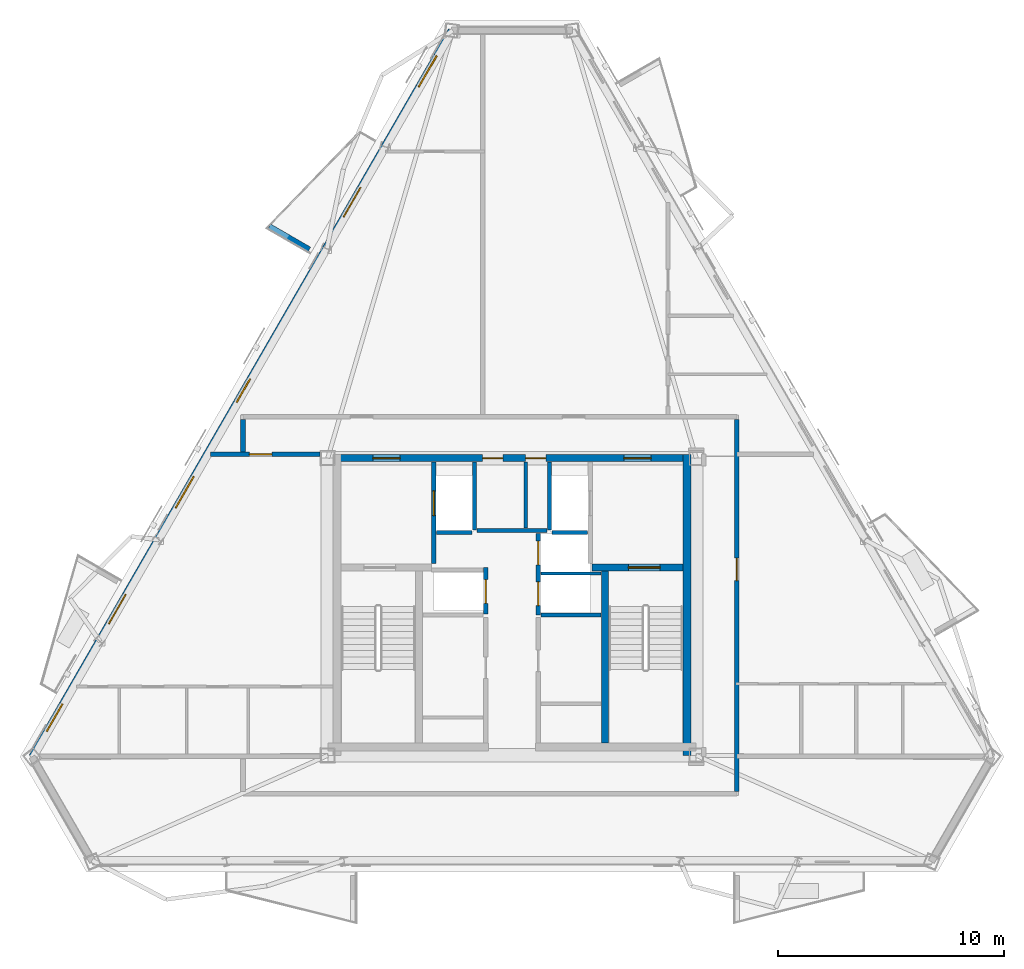
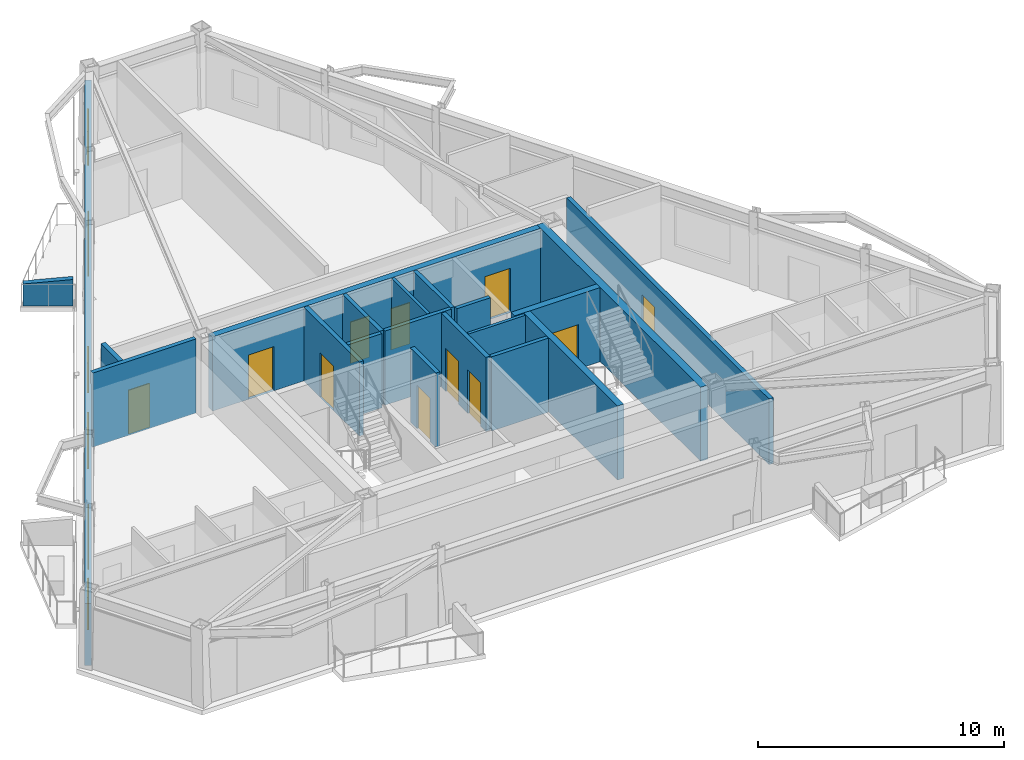
# One storey, part 3 of 9: 20 walls, 13 doors, 4 windows, 17 openings.
"""IFC4 building model written with IfcOpenShell, lengths in metres."""

from ifc_helpers import new_model, si_unit, direction, frame, frame_2d, origin, place, context, subcontext, project, spatial, polyline, rectangle, outline, extrude, material, layer, layer_set, type_object, element, fill, save


model = new_model("IFC4")

# Units and contexts
model_context = context("Model", 3, precision=1e-05, world=origin(), true_north=direction((0.0, 1.0)))
body_context = subcontext(model_context, "Body", "Model", "MODEL_VIEW")
ifc_project = project(units=[si_unit("LENGTHUNIT", "METRE"), si_unit("AREAUNIT", "SQUARE_METRE"), si_unit("VOLUMEUNIT", "CUBIC_METRE"), si_unit("PLANEANGLEUNIT", "RADIAN"), si_unit("MASSUNIT", "GRAM", prefix="KILO")], contexts=[model_context])

# Site, building, storey
site_placement = place(None, origin())
site = spatial("IfcSite", under=ifc_project, at=site_placement, CompositionType="ELEMENT")
building_placement = place(site_placement, origin())
building = spatial("IfcBuilding", under=site, at=building_placement, Name="Oramaril Tower", CompositionType="ELEMENT")
storey_placement = place(building_placement, frame((0.0, 0.0, 253.800048828125)))
storey = spatial("IfcBuildingStorey", under=building, at=storey_placement, Name="L67", CompositionType="ELEMENT", Elevation=253.800048828125)

# Wall, openings, doors, windows
ifc_material_1 = material(Name="Warm Cream Limestone", Category="masonry")
ifc_layer_1 = layer(ifc_material_1, 0.2900390625)
ifc_layer_set_1 = layer_set([ifc_layer_1], Name="WT-EXT29")
wall_type_1 = type_object("IfcWallType", Name="WT-EXT29", PredefinedType="SOLIDWALL", material=ifc_layer_set_1)
wall_1_placement = place(storey_placement, frame((34.81787109375, 43.069580078125, 0.0), z_axis=(0.0, 0.0, 1.0), x_axis=(-0.500001745664, -0.866024395923, 0.0)))
wall_1 = element("IfcWall", 1, at=wall_1_placement, inside=storey, type_object=wall_type_1, Name="L67 Tower Limestone Facade Wall 6M", PredefinedType="SOLIDWALL", context=body_context, shape_type="SweptSolid", body=[
    extrude(rectangle(XDim=37.102294921875, YDim=0.2900390625, at=frame_2d((18.55126953125, 0.0))), origin(), (0.0, 0.0, 1.0), 3.057861328125),
])
opening_1_placement = place(wall_1_placement, frame((8.034423828125, 0.0, 0.0)))
opening_1 = element("IfcOpeningElement", 2, at=opening_1_placement, cuts=wall_1, Name="Opening D-L67-BAL-NW1", PredefinedType="OPENING", context=body_context, shape_type="SweptSolid", body=[
    extrude(rectangle(XDim=1.5, YDim=2.199951171875, at=frame_2d((0.75, 1.10009765625))), frame((0.0, 0.14501953125, 0.0), z_axis=(0.0, -1.0, 0.0), x_axis=(1.0, 0.0, 0.0)), (0.0, 0.0, 1.0), 0.2900390625),
])
opening_2_placement = place(wall_1_placement, frame((28.81298828125, 0.0, 0.0)))
opening_2 = element("IfcOpeningElement", 3, at=opening_2_placement, cuts=wall_1, Name="Opening D-L67-BAL-NW2", PredefinedType="OPENING", context=body_context, shape_type="SweptSolid", body=[
    extrude(rectangle(XDim=1.5, YDim=2.199951171875, at=frame_2d((0.75, 1.10009765625))), frame((0.0, 0.14501953125, 0.0), z_axis=(0.0, -1.0, 0.0), x_axis=(1.0, 0.0, 0.0)), (0.0, 0.0, 1.0), 0.2900390625),
])
opening_3_placement = place(wall_1_placement, frame((22.792236328125, 0.0, 0.85009765625)))
opening_3 = element("IfcOpeningElement", 4, at=opening_3_placement, cuts=wall_1, Name="Opening WN-07", PredefinedType="OPENING", context=body_context, shape_type="SweptSolid", body=[
    extrude(rectangle(XDim=1.60009765625, YDim=1.699951171875, at=frame_2d((0.800048828125, 0.85009765625))), frame((0.0, 0.14501953125, 0.0), z_axis=(0.0, -1.0, 0.0), x_axis=(1.0, 0.0, 0.0)), (0.0, 0.0, 1.0), 0.2900390625),
])
opening_4_placement = place(wall_1_placement, frame((34.406005859375, 0.0, 0.85009765625)))
opening_4 = element("IfcOpeningElement", 5, at=opening_4_placement, cuts=wall_1, Name="Opening WN-08", PredefinedType="OPENING", context=body_context, shape_type="SweptSolid", body=[
    extrude(rectangle(XDim=1.39990234375, YDim=1.60009765625, at=frame_2d((0.699951171875, 0.800048828125))), frame((0.0, 0.14501953125, 0.0), z_axis=(0.0, -1.0, 0.0), x_axis=(1.0, 0.0, 0.0)), (0.0, 0.0, 1.0), 0.2900390625),
])
opening_5_placement = place(wall_1_placement, frame((17.80078125, 0.0, 0.85009765625)))
opening_5 = element("IfcOpeningElement", 6, at=opening_5_placement, cuts=wall_1, Name="Opening WN-09", PredefinedType="OPENING", context=body_context, shape_type="SweptSolid", body=[
    extrude(rectangle(XDim=1.199951171875, YDim=1.47998046875, at=frame_2d((0.60009765625, 0.739990234375))), frame((0.0, 0.14501953125, 0.0), z_axis=(0.0, -1.0, 0.0), x_axis=(1.0, 0.0, 0.0)), (0.0, 0.0, 1.0), 0.2900390625),
])
opening_6_placement = place(wall_1_placement, frame((1.293212890625, 0.0, 0.85009765625)))
opening_6 = element("IfcOpeningElement", 7, at=opening_6_placement, cuts=wall_1, Name="Opening WN-07", PredefinedType="OPENING", context=body_context, shape_type="SweptSolid", body=[
    extrude(rectangle(XDim=1.60009765625, YDim=1.699951171875, at=frame_2d((0.800048828125, 0.85009765625))), frame((0.0, 0.14501953125, 0.0), z_axis=(0.0, -1.0, 0.0), x_axis=(1.0, 0.0, 0.0)), (0.0, 0.0, 1.0), 0.2900390625),
])
ifc_material_2 = material(Name="Anodised Aluminium 6063-T6", Category="aluminium")
door_type_1 = type_object("IfcDoorType", Name="DT-BAL", OperationType="NOTDEFINED", PredefinedType="DOOR", material=ifc_material_2)
door_1_placement = place(opening_1_placement, origin())
door_1 = element("IfcDoor", 8, at=door_1_placement, inside=storey, type_object=door_type_1, Name="L67 Balcony Glazed Door L67-BAL-NW1", OperationType="SINGLE_SWING_RIGHT", OverallHeight=2.199951171875, OverallWidth=1.5, PredefinedType="DOOR", context=body_context, shape_type="SweptSolid", body=[
    extrude(rectangle(XDim=1.5, YDim=2.199951171875, at=frame_2d((0.75, 1.10009765625))), frame((0.0, 0.02490234375, 0.0), z_axis=(0.0, -1.0, 0.0), x_axis=(1.0, 0.0, 0.0)), (0.0, 0.0, 1.0), 0.050048828125),
])
fill(opening_1, door_1)
door_2_placement = place(opening_2_placement, origin())
door_2 = element("IfcDoor", 9, at=door_2_placement, inside=storey, type_object=door_type_1, Name="L67 Balcony Glazed Door L67-BAL-NW2", OperationType="SINGLE_SWING_LEFT", OverallHeight=2.199951171875, OverallWidth=1.5, PredefinedType="DOOR", context=body_context, shape_type="SweptSolid", body=[
    extrude(rectangle(XDim=1.5, YDim=2.199951171875, at=frame_2d((0.75, 1.10009765625))), frame((0.0, 0.02490234375, 0.0), z_axis=(0.0, -1.0, 0.0), x_axis=(1.0, 0.0, 0.0)), (0.0, 0.0, 1.0), 0.050048828125),
])
fill(opening_2, door_2)
ifc_material_3 = material(Name="Coastal Low-E Insulated Glass", Category="glass")
window_type_1 = type_object("IfcWindowType", Name="WNT-07", PartitioningType="SINGLE_PANEL", PredefinedType="WINDOW", material=ifc_material_3)
window_1_placement = place(opening_3_placement, origin())
window_1 = element("IfcWindow", 10, at=window_1_placement, inside=storey, type_object=window_type_1, Name="L67 Chicago Bay Window WN-07", OverallHeight=1.699951171875, OverallWidth=1.60009765625, PartitioningType="SINGLE_PANEL", PredefinedType="WINDOW", context=body_context, shape_type="SweptSolid", body=[
    extrude(rectangle(XDim=1.60009765625, YDim=1.699951171875, at=frame_2d((0.800048828125, 0.85009765625))), frame((0.0, 0.030029296875, 0.0), z_axis=(0.0, -1.0, 0.0), x_axis=(1.0, 0.0, 0.0)), (0.0, 0.0, 1.0), 0.06005859375),
])
fill(opening_3, window_1)
window_2_placement = place(opening_6_placement, origin())
window_2 = element("IfcWindow", 11, at=window_2_placement, inside=storey, type_object=window_type_1, Name="L67 Chicago Bay Window WN-07", OverallHeight=1.699951171875, OverallWidth=1.60009765625, PartitioningType="SINGLE_PANEL", PredefinedType="WINDOW", context=body_context, shape_type="SweptSolid", body=[
    extrude(rectangle(XDim=1.60009765625, YDim=1.699951171875, at=frame_2d((0.800048828125, 0.85009765625))), frame((0.0, 0.030029296875, 0.0), z_axis=(0.0, -1.0, 0.0), x_axis=(1.0, 0.0, 0.0)), (0.0, 0.0, 1.0), 0.06005859375),
])
fill(opening_6, window_2)
ifc_material_4 = material(Name="Coastal Low-E Insulated Glass", Category="glass")
window_type_2 = type_object("IfcWindowType", Name="WNT-08", PartitioningType="SINGLE_PANEL", PredefinedType="WINDOW", material=ifc_material_4)
window_3_placement = place(opening_4_placement, origin())
window_3 = element("IfcWindow", 12, at=window_3_placement, inside=storey, type_object=window_type_2, Name="L67 Chicago Bay Window WN-08", OverallHeight=1.60009765625, OverallWidth=1.39990234375, PartitioningType="SINGLE_PANEL", PredefinedType="WINDOW", context=body_context, shape_type="SweptSolid", body=[
    extrude(rectangle(XDim=1.39990234375, YDim=1.60009765625, at=frame_2d((0.699951171875, 0.800048828125))), frame((0.0, 0.030029296875, 0.0), z_axis=(0.0, -1.0, 0.0), x_axis=(1.0, 0.0, 0.0)), (0.0, 0.0, 1.0), 0.06005859375),
])
fill(opening_4, window_3)
ifc_material_5 = material(Name="Coastal Low-E Insulated Glass", Category="glass")
window_type_3 = type_object("IfcWindowType", Name="WNT-09", PartitioningType="SINGLE_PANEL", PredefinedType="WINDOW", material=ifc_material_5)
window_4_placement = place(opening_5_placement, origin())
window_4 = element("IfcWindow", 13, at=window_4_placement, inside=storey, type_object=window_type_3, Name="L67 Chicago Bay Window WN-09", OverallHeight=1.47998046875, OverallWidth=1.199951171875, PartitioningType="SINGLE_PANEL", PredefinedType="WINDOW", context=body_context, shape_type="SweptSolid", body=[
    extrude(rectangle(XDim=1.199951171875, YDim=1.47998046875, at=frame_2d((0.60009765625, 0.739990234375))), frame((0.0, 0.030029296875, 0.0), z_axis=(0.0, -1.0, 0.0), x_axis=(1.0, 0.0, 0.0)), (0.0, 0.0, 1.0), 0.06005859375),
])
fill(opening_5, window_4)

# Walls
ifc_material_6 = material(Name="Concrete C40/50", Category="concrete")
ifc_layer_2 = layer(ifc_material_6, 0.22998046875)
ifc_layer_set_2 = layer_set([ifc_layer_2], Name="WT-PRP23")
wall_type_2 = type_object("IfcWallType", Name="WT-PRP23", PredefinedType="PARAPET", material=ifc_layer_set_2)
wall_2_placement = place(storey_placement, frame((28.53515625, 33.3837890625, 0.0), z_axis=(0.0, 0.0, 1.0), x_axis=(-0.866012356593, 0.500022597718, 0.0)))
element("IfcWall", 14, at=wall_2_placement, inside=storey, type_object=wall_type_2, Name="L67 Trapezoidal Balcony Frame Cheek L67-BAL-NW1-R", PredefinedType="PARAPET", context=body_context, shape_type="SweptSolid", body=[
    extrude(outline(polyline([(0.0, 0.0), (2.0419921875, 0.0), (2.0419921875, 1.099853515625), (0.0, 1.320068359375), (0.0, 0.0)])), frame((0.0, 0.114990234375, 0.0), z_axis=(0.0, -1.0, 0.0), x_axis=(1.0, 0.0, 0.0)), (0.0, 0.0, 1.0), 0.22998046875),
])
ifc_material_7 = material(Name="Acoustic Gypsum Board Partition")
ifc_layer_3 = layer(ifc_material_7, 0.139892578125)
ifc_layer_set_3 = layer_set([ifc_layer_3], Name="WT-PT14")
wall_type_3 = type_object("IfcWallType", Name="WT-PT14", PredefinedType="PARTITIONING", material=ifc_layer_set_3)
wall_3_placement = place(storey_placement, frame((38.780029296875, 19.050048828125, 0.0), z_axis=(0.0, 0.0, 1.0), x_axis=(1.0, 0.0, 0.0)))
element("IfcWall", 15, at=wall_3_placement, inside=storey, type_object=wall_type_3, Name="L67 High-Rise Lift H2-H3 Divider", PredefinedType="PARTITIONING", context=body_context, shape_type="SweptSolid", body=[
    extrude(rectangle(XDim=2.659912109375, YDim=0.139892578125, at=frame_2d((1.330078125, 0.0))), origin(), (0.0, 0.0, 1.0), 3.679931640625),
])
wall_4_placement = place(storey_placement, frame((38.110107421875, 21.06005859375, 0.0), z_axis=(0.0, 0.0, 1.0), x_axis=(0.0, 1.0, 0.0)))
element("IfcWall", 16, at=wall_4_placement, inside=storey, type_object=wall_type_3, Name="L67 Core Service Divider", PredefinedType="PARTITIONING", context=body_context, shape_type="SweptSolid", body=[
    extrude(rectangle(XDim=2.919921875, YDim=0.139892578125, at=frame_2d((1.4599609375, 0.0))), origin(), (0.0, 0.0, 1.0), 3.679931640625),
])
ifc_material_8 = material(Name="Autoclaved Cellular Concrete Block", Category="concrete")
ifc_layer_4 = layer(ifc_material_8, 0.179931640625)
ifc_layer_set_4 = layer_set([ifc_layer_4], Name="WT-PT18")
wall_type_4 = type_object("IfcWallType", Name="WT-PT18", PredefinedType="PARTITIONING", material=ifc_layer_set_4)
wall_5_placement = place(storey_placement, frame((35.840087890625, 20.9599609375, 0.0), z_axis=(0.0, 0.0, 1.0), x_axis=(0.0, 1.0, 0.0)))
element("IfcWall", 17, at=wall_5_placement, inside=storey, type_object=wall_type_4, Name="L67 FL-1 East Shaft Wall", PredefinedType="PARTITIONING", context=body_context, shape_type="SweptSolid", body=[
    extrude(rectangle(XDim=3.02001953125, YDim=0.179931640625, at=frame_2d((1.510009765625, 0.0))), origin(), (0.0, 0.0, 1.0), 3.679931640625),
])
wall_6_placement = place(storey_placement, frame((34.159912109375, 20.860107421875, 0.0), z_axis=(0.0, 0.0, 1.0), x_axis=(1.0, 0.0, 0.0)))
element("IfcWall", 18, at=wall_6_placement, inside=storey, type_object=wall_type_4, Name="L67 FL-1 South Shaft Wall", PredefinedType="PARTITIONING", context=body_context, shape_type="SweptSolid", body=[
    extrude(rectangle(XDim=1.580078125, YDim=0.179931640625, at=frame_2d((0.7900390625, 0.0))), origin(), (0.0, 0.0, 1.0), 3.679931640625),
])
wall_7_placement = place(storey_placement, frame((39.159912109375, 20.9599609375, 0.0), z_axis=(0.0, 0.0, 1.0), x_axis=(0.0, 1.0, 0.0)))
element("IfcWall", 19, at=wall_7_placement, inside=storey, type_object=wall_type_4, Name="L67 FL-2 West Shaft Wall", PredefinedType="PARTITIONING", context=body_context, shape_type="SweptSolid", body=[
    extrude(rectangle(XDim=3.02001953125, YDim=0.179931640625, at=frame_2d((1.510009765625, 0.0))), origin(), (0.0, 0.0, 1.0), 3.679931640625),
])
wall_8_placement = place(storey_placement, frame((39.260009765625, 20.860107421875, 0.0), z_axis=(0.0, 0.0, 1.0), x_axis=(1.0, 0.0, 0.0)))
element("IfcWall", 20, at=wall_8_placement, inside=storey, type_object=wall_type_4, Name="L67 FL-2 South Shaft Wall", PredefinedType="PARTITIONING", context=body_context, shape_type="SweptSolid", body=[
    extrude(rectangle(XDim=1.580078125, YDim=0.179931640625, at=frame_2d((0.7900390625, 0.0))), origin(), (0.0, 0.0, 1.0), 3.679931640625),
])
wall_9_placement = place(storey_placement, frame((38.780029296875, 17.199951171875, 0.0), z_axis=(0.0, 0.0, 1.0), x_axis=(1.0, 0.0, 0.0)))
element("IfcWall", 21, at=wall_9_placement, inside=storey, type_object=wall_type_4, Name="L67 High-Rise Lift H2 South Wall", PredefinedType="PARTITIONING", context=body_context, shape_type="SweptSolid", body=[
    extrude(rectangle(XDim=2.659912109375, YDim=0.179931640625, at=frame_2d((1.330078125, 0.0))), origin(), (0.0, 0.0, 1.0), 3.679931640625),
])
wall_10_placement = place(storey_placement, frame((35.949951171875, 20.949951171875, 0.0), z_axis=(0.0, 0.0, 1.0), x_axis=(1.0, 0.0, 0.0)))
element("IfcWall", 22, at=wall_10_placement, inside=storey, type_object=wall_type_4, Name="L67 Lift Lobby North Partition", PredefinedType="PARTITIONING", context=body_context, shape_type="SweptSolid", body=[
    extrude(rectangle(XDim=3.10009765625, YDim=0.179931640625, at=frame_2d((1.550048828125, 0.0))), origin(), (0.0, 0.0, 1.0), 3.679931640625),
])

# Wall, opening, door
ifc_material_9 = material(Name="Autoclaved Cellular Concrete Block", Category="concrete")
ifc_layer_5 = layer(ifc_material_9, 0.199951171875)
ifc_layer_set_5 = layer_set([ifc_layer_5], Name="WT-PT20")
wall_type_5 = type_object("IfcWallType", Name="WT-PT20", PredefinedType="PARTITIONING", material=ifc_layer_set_5)
wall_11_placement = place(storey_placement, frame((24.164794921875, 24.320068359375, 0.0), z_axis=(0.0, 0.0, 1.0), x_axis=(1.0, 0.0, 0.0)))
wall_11 = element("IfcWall", 23, at=wall_11_placement, inside=storey, type_object=wall_type_5, Name="L67 Interior Partition PT-20", PredefinedType="PARTITIONING", context=body_context, shape_type="SweptSolid", body=[
    extrude(rectangle(XDim=4.84521484375, YDim=0.199951171875, at=frame_2d((2.422607421875, 0.0))), origin(), (0.0, 0.0, 1.0), 3.679931640625),
])
opening_7_placement = place(wall_11_placement, frame((1.717041015625, 0.0, 0.0)))
opening_7 = element("IfcOpeningElement", 24, at=opening_7_placement, cuts=wall_11, Name="Opening D-L67-09", PredefinedType="OPENING", context=body_context, shape_type="SweptSolid", body=[
    extrude(rectangle(XDim=1.0, YDim=2.179931640625, at=frame_2d((0.5, 1.08984375))), frame((0.0, 0.10009765625, 0.0), z_axis=(0.0, -1.0, 0.0), x_axis=(1.0, 0.0, 0.0)), (0.0, 0.0, 1.0), 0.199951171875),
])
ifc_material_10 = material(Name="FSC Brazilian Freijo Hardwood", Category="wood")
door_type_2 = type_object("IfcDoorType", Name="DT-APT", OperationType="NOTDEFINED", PredefinedType="DOOR", material=ifc_material_10)
door_3_placement = place(opening_7_placement, origin())
door_3 = element("IfcDoor", 25, at=door_3_placement, inside=storey, type_object=door_type_2, Name="L67 Flat L67-U2 Penthouse Living and Dining Room Door D-L67-09", OperationType="SINGLE_SWING_RIGHT", OverallHeight=2.179931640625, OverallWidth=1.0, PredefinedType="DOOR", context=body_context, shape_type="SweptSolid", body=[
    extrude(rectangle(XDim=1.0, YDim=2.179931640625, at=frame_2d((0.5, 1.08984375))), frame((0.0, 0.02490234375, 0.0), z_axis=(0.0, -1.0, 0.0), x_axis=(1.0, 0.0, 0.0)), (0.0, 0.0, 1.0), 0.050048828125),
])
fill(opening_7, door_3)

# Wall
wall_12_placement = place(storey_placement, frame((25.60009765625, 24.424072265625, 0.0), z_axis=(0.0, 0.0, 1.0), x_axis=(0.0, 1.0, 0.0)))
element("IfcWall", 26, at=wall_12_placement, inside=storey, type_object=wall_type_5, Name="L67 Interior Partition PT-20", PredefinedType="PARTITIONING", context=body_context, shape_type="SweptSolid", body=[
    extrude(rectangle(XDim=1.44189453125, YDim=0.199951171875, at=frame_2d((0.720947265625, 0.0))), origin(), (0.0, 0.0, 1.0), 3.679931640625),
])

# Wall, opening, door
wall_13_placement = place(storey_placement, frame((47.449951171875, 9.404052734375, 0.0), z_axis=(0.0, 0.0, 1.0), x_axis=(0.0, 1.0, 0.0)))
wall_13 = element("IfcWall", 27, at=wall_13_placement, inside=storey, type_object=wall_type_5, Name="L67 Interior Partition PT-20", PredefinedType="PARTITIONING", context=body_context, shape_type="SweptSolid", body=[
    extrude(rectangle(XDim=16.4619140625, YDim=0.199951171875, at=frame_2d((8.23095703125, 0.0))), origin(), (0.0, 0.0, 1.0), 3.265869140625),
])
opening_8_placement = place(wall_13_placement, frame((9.320068359375, 0.0, 0.0)))
opening_8 = element("IfcOpeningElement", 28, at=opening_8_placement, cuts=wall_13, Name="Opening D-L67-16", PredefinedType="OPENING", context=body_context, shape_type="SweptSolid", body=[
    extrude(rectangle(XDim=1.0, YDim=2.179931640625, at=frame_2d((0.5, 1.08984375))), frame((0.0, 0.10009765625, 0.0), z_axis=(0.0, -1.0, 0.0), x_axis=(1.0, 0.0, 0.0)), (0.0, 0.0, 1.0), 0.199951171875),
])
door_4_placement = place(opening_8_placement, origin())
door_4 = element("IfcDoor", 29, at=door_4_placement, inside=storey, type_object=door_type_2, Name="L67 Flat L67-U3 Penthouse 2-Bedroom Living and Dining Room Door D-L67-16", OperationType="SINGLE_SWING_LEFT", OverallHeight=2.179931640625, OverallWidth=1.0, PredefinedType="DOOR", context=body_context, shape_type="SweptSolid", body=[
    extrude(rectangle(XDim=1.0, YDim=2.179931640625, at=frame_2d((0.5, 1.08984375))), frame((0.0, 0.02490234375, 0.0), z_axis=(0.0, -1.0, 0.0), x_axis=(1.0, 0.0, 0.0)), (0.0, 0.0, 1.0), 0.050048828125),
])
fill(opening_8, door_4)

# Wall, openings, doors
ifc_material_11 = material(Name="Concrete C50/60", Category="concrete")
ifc_layer_6 = layer(ifc_material_11, 0.300048828125)
ifc_layer_set_6 = layer_set([ifc_layer_6], Name="WT-SH30")
wall_type_6 = type_object("IfcWallType", Name="WT-SH30", PredefinedType="SHEAR", material=ifc_layer_set_6)
wall_14_placement = place(storey_placement, frame((29.64990234375, 24.14990234375, 0.0), z_axis=(0.0, 0.0, 1.0), x_axis=(1.0, 0.0, 0.0)))
wall_14 = element("IfcWall", 30, at=wall_14_placement, inside=storey, type_object=wall_type_6, Name="L67 Core Shear Wall CW-N", PredefinedType="SHEAR", context=body_context, shape_type="SweptSolid", body=[
    extrude(rectangle(XDim=15.7001953125, YDim=0.300048828125, at=frame_2d((7.85009765625, 0.0))), origin(), (0.0, 0.0, 1.0), 3.679931640625),
])
opening_9_placement = place(wall_14_placement, frame((1.699951171875, 0.0, 0.0)))
opening_9 = element("IfcOpeningElement", 31, at=opening_9_placement, cuts=wall_14, Name="Opening D-L67-FFL1", PredefinedType="OPENING", context=body_context, shape_type="SweptSolid", body=[
    extrude(rectangle(XDim=1.199951171875, YDim=2.199951171875, at=frame_2d((0.60009765625, 1.10009765625))), frame((0.0, 0.14990234375, 0.0), z_axis=(0.0, -1.0, 0.0), x_axis=(1.0, 0.0, 0.0)), (0.0, 0.0, 1.0), 0.300048828125),
])
opening_10_placement = place(wall_14_placement, frame((12.800048828125, 0.0, 0.0)))
opening_10 = element("IfcOpeningElement", 32, at=opening_10_placement, cuts=wall_14, Name="Opening D-L67-FFL2", PredefinedType="OPENING", context=body_context, shape_type="SweptSolid", body=[
    extrude(rectangle(XDim=1.199951171875, YDim=2.199951171875, at=frame_2d((0.60009765625, 1.10009765625))), frame((0.0, 0.14990234375, 0.0), z_axis=(0.0, -1.0, 0.0), x_axis=(1.0, 0.0, 0.0)), (0.0, 0.0, 1.0), 0.300048828125),
])
opening_11_placement = place(wall_14_placement, frame((6.550048828125, 0.0, 0.0)))
opening_11 = element("IfcOpeningElement", 33, at=opening_11_placement, cuts=wall_14, Name="Opening D-L67-SV1", PredefinedType="OPENING", context=body_context, shape_type="SweptSolid", body=[
    extrude(rectangle(XDim=0.89990234375, YDim=2.050048828125, at=frame_2d((0.449951171875, 1.02490234375))), frame((0.0, 0.14990234375, 0.0), z_axis=(0.0, -1.0, 0.0), x_axis=(1.0, 0.0, 0.0)), (0.0, 0.0, 1.0), 0.300048828125),
])
opening_12_placement = place(wall_14_placement, frame((8.449951171875, 0.0, 0.0)))
opening_12 = element("IfcOpeningElement", 34, at=opening_12_placement, cuts=wall_14, Name="Opening D-L67-SV2", PredefinedType="OPENING", context=body_context, shape_type="SweptSolid", body=[
    extrude(rectangle(XDim=0.89990234375, YDim=2.050048828125, at=frame_2d((0.449951171875, 1.02490234375))), frame((0.0, 0.14990234375, 0.0), z_axis=(0.0, -1.0, 0.0), x_axis=(1.0, 0.0, 0.0)), (0.0, 0.0, 1.0), 0.300048828125),
])
ifc_material_12 = material(Name="Painted Galvanised Steel", Category="steel")
door_type_3 = type_object("IfcDoorType", Name="DT-FFL", OperationType="NOTDEFINED", PredefinedType="DOOR", material=ifc_material_12)
door_5_placement = place(opening_9_placement, origin())
door_5 = element("IfcDoor", 35, at=door_5_placement, inside=storey, type_object=door_type_3, Name="L67 Firefighting Lobby 1 Fire Door", OperationType="SINGLE_SWING_LEFT", OverallHeight=2.199951171875, OverallWidth=1.199951171875, PredefinedType="DOOR", context=body_context, shape_type="SweptSolid", body=[
    extrude(rectangle(XDim=1.199951171875, YDim=2.199951171875, at=frame_2d((0.60009765625, 1.10009765625))), frame((0.0, 0.02490234375, 0.0), z_axis=(0.0, -1.0, 0.0), x_axis=(1.0, 0.0, 0.0)), (0.0, 0.0, 1.0), 0.050048828125),
])
fill(opening_9, door_5)
door_6_placement = place(opening_10_placement, origin())
door_6 = element("IfcDoor", 36, at=door_6_placement, inside=storey, type_object=door_type_3, Name="L67 Firefighting Lobby 2 Fire Door", OperationType="SINGLE_SWING_RIGHT", OverallHeight=2.199951171875, OverallWidth=1.199951171875, PredefinedType="DOOR", context=body_context, shape_type="SweptSolid", body=[
    extrude(rectangle(XDim=1.199951171875, YDim=2.199951171875, at=frame_2d((0.60009765625, 1.10009765625))), frame((0.0, 0.02490234375, 0.0), z_axis=(0.0, -1.0, 0.0), x_axis=(1.0, 0.0, 0.0)), (0.0, 0.0, 1.0), 0.050048828125),
])
fill(opening_10, door_6)
ifc_material_13 = material(Name="Painted Galvanised Steel", Category="steel")
door_type_4 = type_object("IfcDoorType", Name="DT-SVC", OperationType="NOTDEFINED", PredefinedType="DOOR", material=ifc_material_13)
door_7_placement = place(opening_11_placement, origin())
door_7 = element("IfcDoor", 37, at=door_7_placement, inside=storey, type_object=door_type_4, Name="L67 Core Service Store 1 Door", OperationType="SINGLE_SWING_LEFT", OverallHeight=2.050048828125, OverallWidth=0.89990234375, PredefinedType="DOOR", context=body_context, shape_type="SweptSolid", body=[
    extrude(rectangle(XDim=0.89990234375, YDim=2.050048828125, at=frame_2d((0.449951171875, 1.02490234375))), frame((0.0, 0.02490234375, 0.0), z_axis=(0.0, -1.0, 0.0), x_axis=(1.0, 0.0, 0.0)), (0.0, 0.0, 1.0), 0.050048828125),
])
fill(opening_11, door_7)
door_8_placement = place(opening_12_placement, origin())
door_8 = element("IfcDoor", 38, at=door_8_placement, inside=storey, type_object=door_type_4, Name="L67 Core Service Store 2 Door", OperationType="SINGLE_SWING_RIGHT", OverallHeight=2.050048828125, OverallWidth=0.89990234375, PredefinedType="DOOR", context=body_context, shape_type="SweptSolid", body=[
    extrude(rectangle(XDim=0.89990234375, YDim=2.050048828125, at=frame_2d((0.449951171875, 1.02490234375))), frame((0.0, 0.02490234375, 0.0), z_axis=(0.0, -1.0, 0.0), x_axis=(1.0, 0.0, 0.0)), (0.0, 0.0, 1.0), 0.050048828125),
])
fill(opening_12, door_8)

# Wall, opening, door
wall_15_placement = place(storey_placement, frame((41.050048828125, 19.31005859375, 0.0), z_axis=(0.0, 0.0, 1.0), x_axis=(1.0, 0.0, 0.0)))
wall_15 = element("IfcWall", 39, at=wall_15_placement, inside=storey, type_object=wall_type_6, Name="L67 Core Shear Wall CW-ST2N", PredefinedType="SHEAR", context=body_context, shape_type="SweptSolid", body=[
    extrude(rectangle(XDim=4.010009765625, YDim=0.300048828125, at=frame_2d((2.0048828125, 0.0))), origin(), (0.0, 0.0, 1.0), 3.679931640625),
])
opening_13_placement = place(wall_15_placement, frame((1.60009765625, 0.0, 0.0)))
opening_13 = element("IfcOpeningElement", 40, at=opening_13_placement, cuts=wall_15, Name="Opening D-L67-ST2", PredefinedType="OPENING", context=body_context, shape_type="SweptSolid", body=[
    extrude(rectangle(XDim=1.39990234375, YDim=2.199951171875, at=frame_2d((0.699951171875, 1.10009765625))), frame((0.0, 0.14990234375, 0.0), z_axis=(0.0, -1.0, 0.0), x_axis=(1.0, 0.0, 0.0)), (0.0, 0.0, 1.0), 0.300048828125),
])
ifc_material_14 = material(Name="Painted Galvanised Steel", Category="steel")
door_type_5 = type_object("IfcDoorType", Name="DT-ST", OperationType="NOTDEFINED", PredefinedType="DOOR", material=ifc_material_14)
door_9_placement = place(opening_13_placement, origin())
door_9 = element("IfcDoor", 41, at=door_9_placement, inside=storey, type_object=door_type_5, Name="L67 Protected Stair ST-2 Fire Door", OperationType="SINGLE_SWING_RIGHT", OverallHeight=2.199951171875, OverallWidth=1.39990234375, PredefinedType="DOOR", context=body_context, shape_type="SweptSolid", body=[
    extrude(rectangle(XDim=1.39990234375, YDim=2.199951171875, at=frame_2d((0.699951171875, 1.10009765625))), frame((0.0, 0.02490234375, 0.0), z_axis=(0.0, -1.0, 0.0), x_axis=(1.0, 0.0, 0.0)), (0.0, 0.0, 1.0), 0.050048828125),
])
fill(opening_13, door_9)

# Walls
wall_16_placement = place(storey_placement, frame((41.6201171875, 11.5400390625, 0.0), z_axis=(0.0, 0.0, 1.0), x_axis=(0.0, 1.0, 0.0)))
element("IfcWall", 42, at=wall_16_placement, inside=storey, type_object=wall_type_6, Name="L67 Core Shear Wall CW-ST2W", PredefinedType="SHEAR", context=body_context, shape_type="SweptSolid", body=[
    extrude(rectangle(XDim=7.619873046875, YDim=0.300048828125, at=frame_2d((3.81005859375, 0.0))), origin(), (0.0, 0.0, 1.0), 3.679931640625),
])
ifc_material_15 = material(Name="Concrete C50/60", Category="concrete")
ifc_layer_7 = layer(ifc_material_15, 0.35009765625)
ifc_layer_set_7 = layer_set([ifc_layer_7], Name="WT-SH35")
wall_type_7 = type_object("IfcWallType", Name="WT-SH35", PredefinedType="SHEAR", material=ifc_layer_set_7)
wall_17_placement = place(storey_placement, frame((45.235107421875, 11.0, 0.0), z_axis=(0.0, 0.0, 1.0), x_axis=(0.0, 1.0, 0.0)))
element("IfcWall", 43, at=wall_17_placement, inside=storey, type_object=wall_type_7, Name="L67 Core Shear Wall CW-E", PredefinedType="SHEAR", context=body_context, shape_type="SweptSolid", body=[
    extrude(rectangle(XDim=13.300048828125, YDim=0.35009765625, at=frame_2d((6.64990234375, 0.0))), origin(), (0.0, 0.0, 1.0), 3.679931640625),
])

# Wall, opening, door
ifc_material_16 = material(Name="Autoclaved Cellular Concrete Block", Category="concrete")
ifc_layer_8 = layer(ifc_material_16, 0.199951171875)
ifc_layer_set_8 = layer_set([ifc_layer_8], Name="WT-SHF20")
wall_type_8 = type_object("IfcWallType", Name="WT-SHF20", PredefinedType="PARTITIONING", material=ifc_layer_set_8)
wall_18_placement = place(storey_placement, frame((34.0400390625, 19.47998046875, 0.0), z_axis=(0.0, 0.0, 1.0), x_axis=(0.0, 1.0, 0.0)))
wall_18 = element("IfcWall", 44, at=wall_18_placement, inside=storey, type_object=wall_type_8, Name="L67 FL-1 Lobby Shaft Wall", PredefinedType="PARTITIONING", context=body_context, shape_type="SweptSolid", body=[
    extrude(rectangle(XDim=4.5, YDim=0.199951171875, at=frame_2d((2.25, 0.0))), origin(), (0.0, 0.0, 1.0), 3.679931640625),
])
opening_14_placement = place(wall_18_placement, frame((2.1201171875, 0.0, 0.0)))
opening_14 = element("IfcOpeningElement", 45, at=opening_14_placement, cuts=wall_18, Name="Opening LD-L67-FL-1", PredefinedType="OPENING", context=body_context, shape_type="SweptSolid", body=[
    extrude(rectangle(XDim=1.10009765625, YDim=2.199951171875, at=frame_2d((0.550048828125, 1.10009765625))), frame((0.0, 0.10009765625, 0.0), z_axis=(0.0, -1.0, 0.0), x_axis=(1.0, 0.0, 0.0)), (0.0, 0.0, 1.0), 0.199951171875),
])
ifc_material_17 = material(Name="Stainless Steel 316L", Category="steel")
door_type_6 = type_object("IfcDoorType", Name="DT-LD1", OperationType="NOTDEFINED", PredefinedType="DOOR", material=ifc_material_17)
door_10_placement = place(opening_14_placement, origin())
door_10 = element("IfcDoor", 46, at=door_10_placement, inside=storey, type_object=door_type_6, Name="L67 Lift FL-1 Sliding Landing Door", OperationType="SLIDING_TO_LEFT", OverallHeight=2.199951171875, OverallWidth=1.10009765625, PredefinedType="DOOR", context=body_context, shape_type="SweptSolid", body=[
    extrude(rectangle(XDim=1.10009765625, YDim=2.199951171875, at=frame_2d((0.550048828125, 1.10009765625))), frame((0.0, 0.02490234375, 0.0), z_axis=(0.0, -1.0, 0.0), x_axis=(1.0, 0.0, 0.0)), (0.0, 0.0, 1.0), 0.050048828125),
])
fill(opening_14, door_10)

wall_19_placement = place(storey_placement, frame((36.340087890625, 17.25, 0.0), z_axis=(0.0, 0.0, 1.0), x_axis=(0.0, 1.0, 0.0)))
wall_19 = element("IfcWall", 47, at=wall_19_placement, inside=storey, type_object=wall_type_8, Name="L67 High-Rise Lift H1 Front Wall", PredefinedType="PARTITIONING", context=body_context, shape_type="SweptSolid", body=[
    extrude(rectangle(XDim=2.070068359375, YDim=0.199951171875, at=frame_2d((1.03515625, 0.0))), origin(), (0.0, 0.0, 1.0), 3.679931640625),
])
opening_15_placement = place(wall_19_placement, frame((0.47509765625, 0.0, 0.0)))
opening_15 = element("IfcOpeningElement", 48, at=opening_15_placement, cuts=wall_19, Name="Opening LD-L67-LP-H1", PredefinedType="OPENING", context=body_context, shape_type="SweptSolid", body=[
    extrude(rectangle(XDim=1.050048828125, YDim=2.14990234375, at=frame_2d((0.52490234375, 1.074951171875))), frame((0.0, 0.10009765625, 0.0), z_axis=(0.0, -1.0, 0.0), x_axis=(1.0, 0.0, 0.0)), (0.0, 0.0, 1.0), 0.199951171875),
])
ifc_material_18 = material(Name="Stainless Steel 316L", Category="steel")
door_type_7 = type_object("IfcDoorType", Name="DT-LD2", OperationType="NOTDEFINED", PredefinedType="DOOR", material=ifc_material_18)
door_11_placement = place(opening_15_placement, origin())
door_11 = element("IfcDoor", 49, at=door_11_placement, inside=storey, type_object=door_type_7, Name="L67 Lift LP-H1 Sliding Landing Door", OperationType="SLIDING_TO_LEFT", OverallHeight=2.14990234375, OverallWidth=1.050048828125, PredefinedType="DOOR", context=body_context, shape_type="SweptSolid", body=[
    extrude(rectangle(XDim=1.050048828125, YDim=2.14990234375, at=frame_2d((0.52490234375, 1.074951171875))), frame((0.0, 0.02490234375, 0.0), z_axis=(0.0, -1.0, 0.0), x_axis=(1.0, 0.0, 0.0)), (0.0, 0.0, 1.0), 0.050048828125),
])
fill(opening_15, door_11)

# Wall, openings, doors
wall_20_placement = place(storey_placement, frame((38.659912109375, 17.199951171875, 0.0), z_axis=(0.0, 0.0, 1.0), x_axis=(0.0, 1.0, 0.0)))
wall_20 = element("IfcWall", 50, at=wall_20_placement, inside=storey, type_object=wall_type_8, Name="L67 High-Rise Lift H2-H3 Front Wall", PredefinedType="PARTITIONING", context=body_context, shape_type="SweptSolid", body=[
    extrude(rectangle(XDim=3.6201171875, YDim=0.199951171875, at=frame_2d((1.81005859375, 0.0))), origin(), (0.0, 0.0, 1.0), 3.679931640625),
])
opening_16_placement = place(wall_20_placement, frame((0.425048828125, 0.0, 0.0)))
opening_16 = element("IfcOpeningElement", 51, at=opening_16_placement, cuts=wall_20, Name="Opening LD-L67-LP-H2", PredefinedType="OPENING", context=body_context, shape_type="SweptSolid", body=[
    extrude(rectangle(XDim=1.050048828125, YDim=2.14990234375, at=frame_2d((0.52490234375, 1.074951171875))), frame((0.0, 0.10009765625, 0.0), z_axis=(0.0, -1.0, 0.0), x_axis=(1.0, 0.0, 0.0)), (0.0, 0.0, 1.0), 0.199951171875),
])
opening_17_placement = place(wall_20_placement, frame((2.22509765625, 0.0, 0.0)))
opening_17 = element("IfcOpeningElement", 52, at=opening_17_placement, cuts=wall_20, Name="Opening LD-L67-LP-H3", PredefinedType="OPENING", context=body_context, shape_type="SweptSolid", body=[
    extrude(rectangle(XDim=1.050048828125, YDim=2.14990234375, at=frame_2d((0.52490234375, 1.074951171875))), frame((0.0, 0.10009765625, 0.0), z_axis=(0.0, -1.0, 0.0), x_axis=(1.0, 0.0, 0.0)), (0.0, 0.0, 1.0), 0.199951171875),
])
door_12_placement = place(opening_16_placement, origin())
door_12 = element("IfcDoor", 53, at=door_12_placement, inside=storey, type_object=door_type_7, Name="L67 Lift LP-H2 Sliding Landing Door", OperationType="SLIDING_TO_RIGHT", OverallHeight=2.14990234375, OverallWidth=1.050048828125, PredefinedType="DOOR", context=body_context, shape_type="SweptSolid", body=[
    extrude(rectangle(XDim=1.050048828125, YDim=2.14990234375, at=frame_2d((0.52490234375, 1.074951171875))), frame((0.0, 0.02490234375, 0.0), z_axis=(0.0, -1.0, 0.0), x_axis=(1.0, 0.0, 0.0)), (0.0, 0.0, 1.0), 0.050048828125),
])
fill(opening_16, door_12)
door_13_placement = place(opening_17_placement, origin())
door_13 = element("IfcDoor", 54, at=door_13_placement, inside=storey, type_object=door_type_7, Name="L67 Lift LP-H3 Sliding Landing Door", OperationType="SLIDING_TO_LEFT", OverallHeight=2.14990234375, OverallWidth=1.050048828125, PredefinedType="DOOR", context=body_context, shape_type="SweptSolid", body=[
    extrude(rectangle(XDim=1.050048828125, YDim=2.14990234375, at=frame_2d((0.52490234375, 1.074951171875))), frame((0.0, 0.02490234375, 0.0), z_axis=(0.0, -1.0, 0.0), x_axis=(1.0, 0.0, 0.0)), (0.0, 0.0, 1.0), 0.050048828125),
])
fill(opening_17, door_13)

save(model, "model.ifc")
